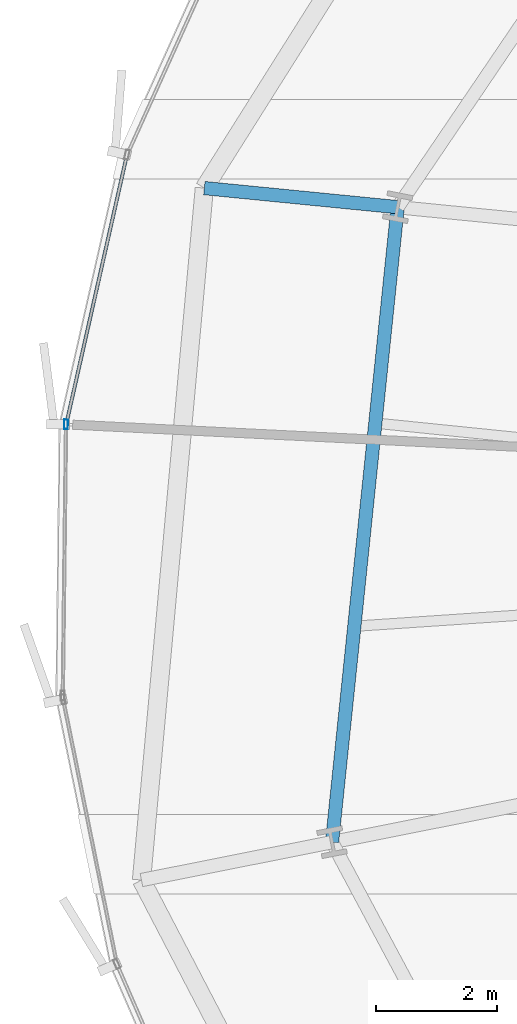
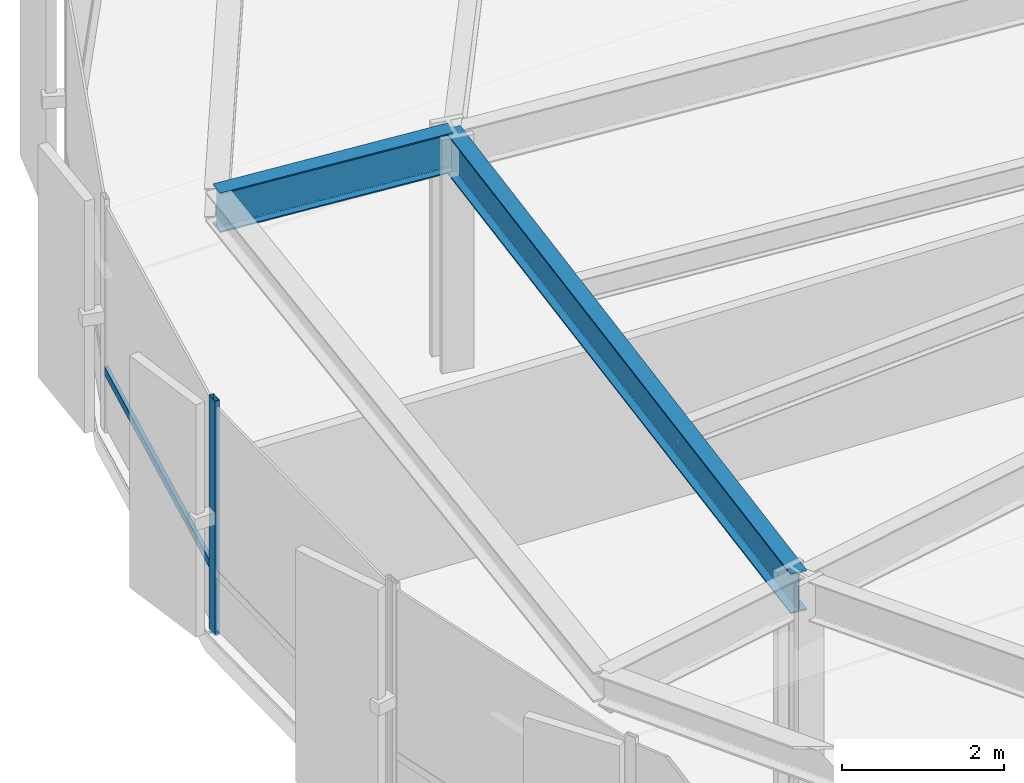
# One storey, part 9 of 38: 2 beams, 2 members, 1 element without a shape of its own.
"""IFC4 building model written with IfcOpenShell, lengths in metres."""

from ifc_helpers import new_model, si_unit, direction, frame, origin, origin_2d, place, context, subcontext, project, spatial, hollow_rectangle, i_section, extrude, source, transform, mapped, material, layer, layer_set, material_profile, profile_set, type_object, element, aggregate, save


model = new_model("IFC4")

# Units and contexts
model_context = context("Model", 3, precision=1e-05, world=origin(), true_north=direction((0.0, 1.0)))
body_context = subcontext(model_context, "Body", "Model", "MODEL_VIEW")
ifc_project = project(units=[si_unit("LENGTHUNIT", "METRE"), si_unit("AREAUNIT", "SQUARE_METRE"), si_unit("VOLUMEUNIT", "CUBIC_METRE"), si_unit("PLANEANGLEUNIT", "RADIAN"), si_unit("MASSUNIT", "GRAM", prefix="KILO"), si_unit("THERMODYNAMICTEMPERATUREUNIT", "KELVIN")], contexts=[model_context])

# Site, building, storey
site_placement = place(None, origin())
site = spatial("IfcSite", under=ifc_project, at=site_placement, CompositionType="ELEMENT")
building_placement = place(site_placement, origin())
building = spatial("IfcBuilding", under=site, at=building_placement, Name="Kethvar Cultural Tower", CompositionType="ELEMENT")
storey_placement = place(building_placement, frame((0.0, 0.0, 52.39990234375)))
storey = spatial("IfcBuildingStorey", under=building, at=storey_placement, Name="L12", CompositionType="ELEMENT", Elevation=52.39990234375)

# Beams
ifc_material_1 = material(Name="Steel S355J2", Category="steel")
ifc_material_profile_1 = material_profile(ifc_material_1, i_section(OverallWidth=0.219970703125, OverallDepth=0.60009765625, WebThickness=0.011962890625, FlangeThickness=0.01904296875, FilletRadius=0.02392578125, at=origin_2d()), Name="Steel S355J2 — IPE600")
ifc_profile_set_1 = profile_set([ifc_material_profile_1], Name="Steel S355J2 — IPE600")
beam_type = type_object("IfcBeamType", Name="BM-IPE600", PredefinedType="BEAM", material=ifc_profile_set_1)
shared_shape_1 = source(origin(), body_context, "Body", "SweptSolid", [
    extrude(i_section(OverallWidth=0.219970703125, OverallDepth=0.60009765625, WebThickness=0.011962890625, FlangeThickness=0.01904296875, FilletRadius=0.02392578125, at=origin_2d()), origin(), (0.0, 0.0, 1.0), 3.199951171875),
])
beam_1_placement = place(storey_placement, frame((21.047119140625, 32.922607421875, 3.248046875), z_axis=(-0.995167757846, 0.098189275096, 0.0), x_axis=(-0.098189275096, -0.995167757846, 0.0)))
element("IfcBeam", 1, at=beam_1_placement, inside=storey, type_object=beam_type, Name="L12 Perimeter Cantilever Beam RC-08", PredefinedType="BEAM", context=body_context, shape_type="MappedRepresentation", body=[
    mapped(shared_shape_1, transform((0.0, 0.0, 0.0), scale=1.0)),
])
shared_shape_2 = source(origin(), body_context, "Body", "SweptSolid", [
    extrude(i_section(OverallWidth=0.219970703125, OverallDepth=0.60009765625, WebThickness=0.011962890625, FlangeThickness=0.01904296875, FilletRadius=0.02392578125, at=origin_2d()), origin(), (0.0, 0.0, 1.0), 10.515869140625),
])
beam_2_placement = place(storey_placement, frame((21.047119140625, 32.922607421875, 3.248046875), z_axis=(-0.102824694973, -0.994699493367, 0.0), x_axis=(0.994699493367, -0.102824694973, 0.0)))
element("IfcBeam", 2, at=beam_2_placement, inside=storey, type_object=beam_type, Name="L12 Column Ring Tie Beam CR-08", PredefinedType="BEAM", context=body_context, shape_type="MappedRepresentation", body=[
    mapped(shared_shape_2, transform((0.0, 0.0, 0.0), scale=1.0)),
])

# Curtain wall, members
ifc_material_2 = material(Name="Aluminium 6063-T6", Category="aluminium")
ifc_layer = layer(ifc_material_2, 0.179931640625, Name="Aluminium 6063-T6", Category="aluminium")
ifc_layer_set = layer_set([ifc_layer], Name="Aluminium 6063-T6 (180 mm)")
curtain_wall_type = type_object("IfcCurtainWallType", Name="CW-SYS-02-Z1", PredefinedType="NOTDEFINED", material=ifc_layer_set)
curtain_wall_placement = place(storey_placement, origin())
curtain_wall = element("IfcCurtainWall", 3, at=curtain_wall_placement, inside=storey, type_object=curtain_wall_type, Name="L12 Curtain Wall Run 03", PredefinedType="NOTDEFINED")
ifc_material_profile_2 = material_profile(ifc_material_2, hollow_rectangle(XDim=0.06494140625, YDim=0.159912109375, WallThickness=0.0048828125, at=origin_2d()), Name="Aluminium 6063-T6 — RHS160x65x5")
ifc_profile_set_2 = profile_set([ifc_material_profile_2], Name="Aluminium 6063-T6 — RHS160x65x5")
member_type_1 = type_object("IfcMemberType", Name="CW-SYS-02-Z1-MUL", PredefinedType="MULLION", material=ifc_profile_set_2)
shared_shape_3 = source(origin(), body_context, "Body", "SweptSolid", [
    extrude(hollow_rectangle(XDim=0.06494140625, YDim=0.159912109375, WallThickness=0.0048828125, at=origin_2d()), origin(), (0.0, 0.0, 1.0), 3.550048828125),
])
member_1_placement = place(storey_placement, frame((15.584716796875, 29.344970703125, 0.0), z_axis=(0.0, 0.0, 1.0), x_axis=(0.999927065729, -0.012077384797, 0.0)))
member_1 = element("IfcMember", 4, at=member_1_placement, type_object=member_type_1, Name="CW-L12-R03 Mullion 6", PredefinedType="MULLION", context=body_context, shape_type="MappedRepresentation", body=[
    mapped(shared_shape_3, transform((0.0, 0.0, 0.0), scale=1.0)),
])
ifc_material_profile_3 = material_profile(ifc_material_2, hollow_rectangle(XDim=0.054931640625, YDim=0.1201171875, WallThickness=0.00390625, at=origin_2d()), Name="Aluminium 6063-T6 — RHS120x55x4")
ifc_profile_set_3 = profile_set([ifc_material_profile_3], Name="Aluminium 6063-T6 — RHS120x55x4")
member_type_2 = type_object("IfcMemberType", Name="CW-SYS-02-Z1-TRN", PredefinedType="USERDEFINED", material=ifc_profile_set_3)
shared_shape_4 = source(origin(), body_context, "Body", "SweptSolid", [
    extrude(hollow_rectangle(XDim=0.054931640625, YDim=0.1201171875, WallThickness=0.00390625, at=origin_2d()), origin(), (0.0, 0.0, 1.0), 4.48486328125),
])
member_2_placement = place(storey_placement, frame((16.577880859375, 33.74072265625, 0.9501953125), z_axis=(-0.219811403105, -0.975542386093, 0.0), x_axis=(0.975542386093, -0.219811403105, 0.0)))
member_2 = element("IfcMember", 5, at=member_2_placement, type_object=member_type_2, Name="CW-L12-R03 Transom 5", ObjectType="TRANSOM", PredefinedType="USERDEFINED", context=body_context, shape_type="MappedRepresentation", body=[
    mapped(shared_shape_4, transform((0.0, 0.0, 0.0), scale=1.0)),
])
aggregate(curtain_wall, [member_1, member_2])

save(model, "model.ifc")
